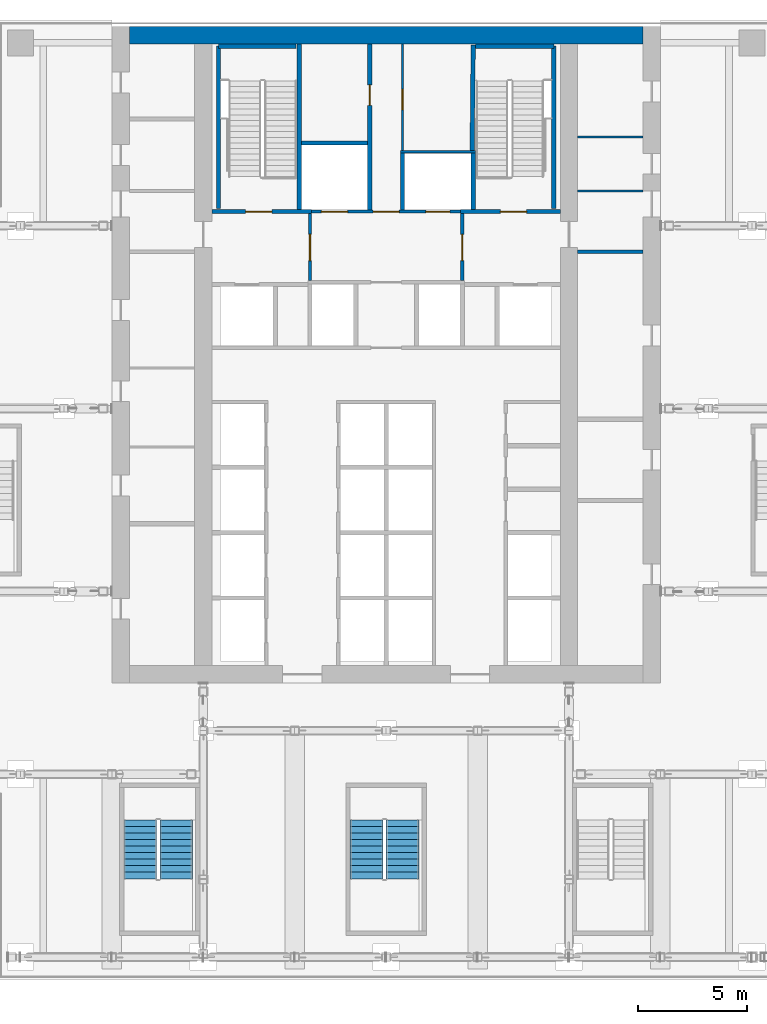
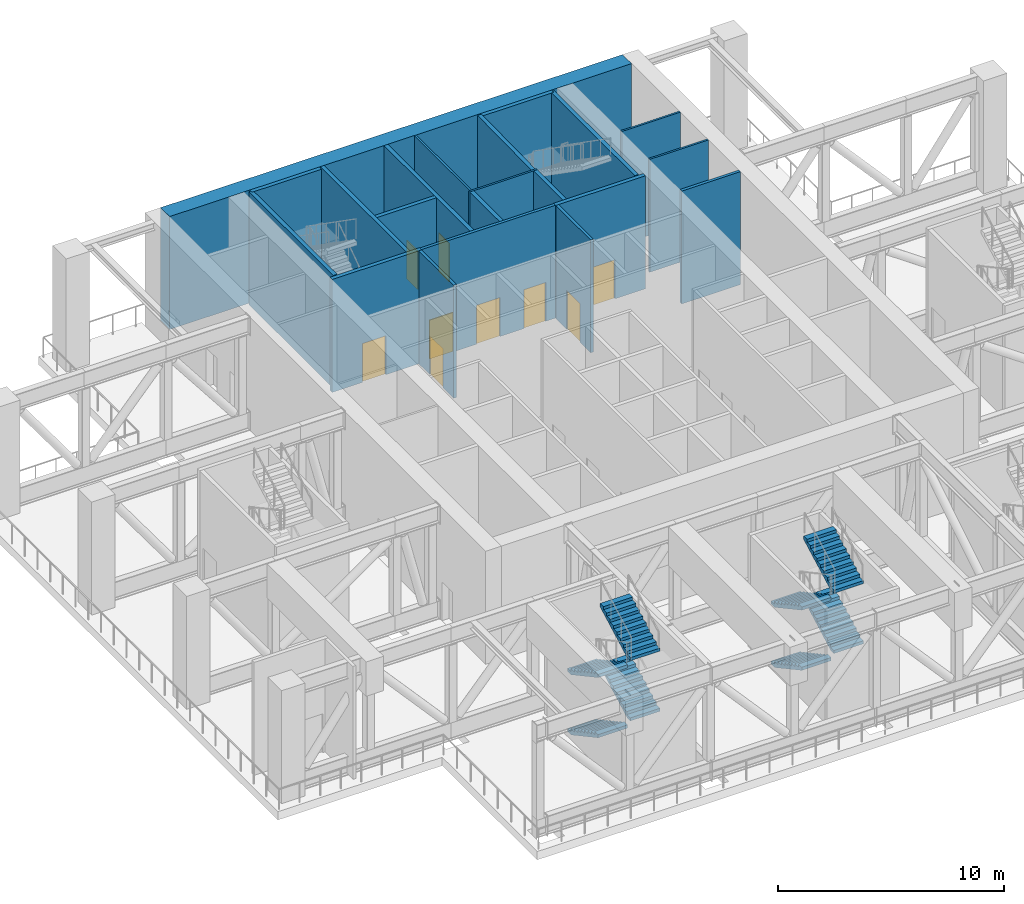
# One storey, part 18 of 23: 21 walls, 9 doors, 8 stair flights, 9 openings, 2 elements without a shape of their own.
"""IFC4 building model written with IfcOpenShell, lengths in metres."""

from ifc_helpers import new_model, si_unit, direction, frame, frame_2d, origin, place, context, subcontext, project, spatial, polyline, rectangle, outline, extrude, material, layer, layer_set, type_object, element, fill, aggregate, save


model = new_model("IFC4")

# Units and contexts
model_context = context("Model", 3, precision=1e-05, world=origin(), true_north=direction((0.0, 1.0)))
body_context = subcontext(model_context, "Body", "Model", "MODEL_VIEW")
ifc_project = project(units=[si_unit("LENGTHUNIT", "METRE"), si_unit("AREAUNIT", "SQUARE_METRE"), si_unit("VOLUMEUNIT", "CUBIC_METRE"), si_unit("PLANEANGLEUNIT", "RADIAN"), si_unit("MASSUNIT", "GRAM", prefix="KILO")], contexts=[model_context])

# Site, building, storey
site_placement = place(None, origin())
site = spatial("IfcSite", under=ifc_project, at=site_placement, CompositionType="ELEMENT")
building_placement = place(site_placement, origin())
building = spatial("IfcBuilding", under=site, at=building_placement, Name="Vermilion Ogive Tower", CompositionType="ELEMENT")
storey_placement = place(building_placement, frame((0.0, 0.0, 121.800048828125)))
storey = spatial("IfcBuildingStorey", under=building, at=storey_placement, Name="L31", CompositionType="ELEMENT", Elevation=121.800048828125)

# Walls
ifc_material_1 = material(Name="Concrete B80", Category="concrete")
ifc_layer_1 = layer(ifc_material_1, 0.800048828125)
ifc_layer_set_1 = layer_set([ifc_layer_1], Name="Core wall 800 B80")
wall_type_1 = type_object("IfcWallType", Name="Core wall 800 B80", PredefinedType="SHEAR", material=ifc_layer_set_1)
wall_1_placement = place(storey_placement, frame((-11.800048828125, 21.35009765625, 0.0), z_axis=(0.0, 0.0, 1.0), x_axis=(1.0, 0.0, 0.0)))
element("IfcWall", 1, at=wall_1_placement, inside=storey, type_object=wall_type_1, Name="L31-CORE-N", PredefinedType="SHEAR", context=body_context, shape_type="SweptSolid", body=[
    extrude(rectangle(XDim=23.60009765625, YDim=0.800048828125, at=frame_2d((11.800048828125, 0.0))), origin(), (0.0, 0.0, 1.0), 6.099853515625),
])
ifc_material_2 = material(Name="Gypsum board partition on steel studs", Category="steel")
ifc_layer_2 = layer(ifc_material_2, 0.10009765625)
ifc_layer_set_2 = layer_set([ifc_layer_2], Name="Partition 100 bath")
wall_type_2 = type_object("IfcWallType", Name="Partition 100 bath", PredefinedType="PARTITIONING", material=ifc_layer_set_2)
wall_2_placement = place(storey_placement, frame((0.64990234375, 16.0, 0.0), z_axis=(0.0, 0.0, 1.0), x_axis=(1.0, 0.0, 0.0)))
element("IfcWall", 2, at=wall_2_placement, inside=storey, type_object=wall_type_2, Name="L31-CK-W-W021", PredefinedType="PARTITIONING", context=body_context, shape_type="SweptSolid", body=[
    extrude(rectangle(XDim=3.4501953125, YDim=0.10009765625, at=frame_2d((1.72509765625, 0.0))), origin(), (0.0, 0.0, 1.0), 6.099853515625),
])

# Wall, opening, door
wall_3_placement = place(storey_placement, frame((0.75, 16.050048828125, 0.0), z_axis=(0.0, 0.0, 1.0), x_axis=(0.0, 1.0, 0.0)))
wall_3 = element("IfcWall", 3, at=wall_3_placement, inside=storey, type_object=wall_type_2, Name="L31-CK-W-W033", PredefinedType="PARTITIONING", context=body_context, shape_type="SweptSolid", body=[
    extrude(rectangle(XDim=4.89892578125, YDim=0.10009765625, at=frame_2d((2.449462890625, 0.0))), origin(), (0.0, 0.0, 1.0), 6.099853515625),
])
opening_1_placement = place(wall_3_placement, frame((1.875, 0.0, 0.0)))
opening_1 = element("IfcOpeningElement", 4, at=opening_1_placement, cuts=wall_3, Name="Opening DAI010", PredefinedType="OPENING", context=body_context, shape_type="SweptSolid", body=[
    extrude(rectangle(XDim=0.949951171875, YDim=2.10009765625, at=frame_2d((0.47509765625, 1.050048828125))), frame((0.0, 0.06005859375, 0.0), z_axis=(0.0, -1.0, 0.0), x_axis=(1.0, 0.0, 0.0)), (0.0, 0.0, 1.0), 0.1201171875),
])
ifc_material_3 = material(Name="Timber door leaf", Category="wood")
door_type_1 = type_object("IfcDoorType", Name="Service door 950 x 2100 FD60", OperationType="SINGLE_SWING_LEFT", PredefinedType="DOOR", material=ifc_material_3)
door_1_placement = place(opening_1_placement, origin())
door_1 = element("IfcDoor", 5, at=door_1_placement, inside=storey, type_object=door_type_1, Name="L31-CK-D-D022", OperationType="SINGLE_SWING_LEFT", OverallHeight=2.10009765625, OverallWidth=0.949951171875, PredefinedType="DOOR", context=body_context, shape_type="SweptSolid", body=[
    extrude(rectangle(XDim=0.949951171875, YDim=2.10009765625, at=frame_2d((0.47509765625, 1.050048828125))), frame((0.0, 0.02490234375, 0.0), z_axis=(0.0, -1.0, 0.0), x_axis=(1.0, 0.0, 0.0)), (0.0, 0.0, 1.0), 0.050048828125),
])
fill(opening_1, door_1)

# Walls
for number, where, z_axis, x_axis, name in (
    (6, (8.801025390625, 14.199951171875, 0.0), (0.0, 0.0, 1.0), (1.0, 0.0, 0.0), "L31-CKE-W-W004"),
    (7, (8.801025390625, 16.677978515625, 0.0), (0.0, 0.0, 1.0), (1.0, 0.0, 0.0), "L31-CKE-W-W005"),
):
    element("IfcWall", number, at=place(storey_placement, frame(where, z_axis=z_axis, x_axis=x_axis)), inside=storey, type_object=wall_type_2, Name=name, PredefinedType="PARTITIONING", context=body_context, shape_type="SweptSolid", body=[
        extrude(rectangle(XDim=2.998046875, YDim=0.10009765625, at=frame_2d((1.4990234375, 0.0))), origin(), (0.0, 0.0, 1.0), 6.099853515625),
    ])

# Wall, openings, doors
ifc_material_4 = material(Name="Gypsum board partition on steel studs", Category="steel")
ifc_layer_3 = layer(ifc_material_4, 0.14990234375)
ifc_layer_set_3 = layer_set([ifc_layer_3], Name="Partition 150 corridor")
wall_type_3 = type_object("IfcWallType", Name="Partition 150 corridor", PredefinedType="PARTITIONING", material=ifc_layer_set_3)
wall_4_placement = place(storey_placement, frame((-3.574951171875, 13.25, 0.0), z_axis=(0.0, 0.0, 1.0), x_axis=(1.0, 0.0, 0.0)))
wall_4 = element("IfcWall", 8, at=wall_4_placement, inside=storey, type_object=wall_type_3, Name="L31-CK-W-W019", PredefinedType="PARTITIONING", context=body_context, shape_type="SweptSolid", body=[
    extrude(rectangle(XDim=7.14990234375, YDim=0.14990234375, at=frame_2d((3.574951171875, 0.0))), origin(), (0.0, 0.0, 1.0), 6.099853515625),
])
opening_2_placement = place(wall_4_placement, frame((0.599853515625, 0.0, 0.0)))
opening_2 = element("IfcOpeningElement", 9, at=opening_2_placement, cuts=wall_4, Name="Opening DAI024", PredefinedType="OPENING", context=body_context, shape_type="SweptSolid", body=[
    extrude(rectangle(XDim=1.199951171875, YDim=2.10009765625, at=frame_2d((0.60009765625, 1.050048828125))), frame((0.0, 0.0849609375, 0.0), z_axis=(0.0, -1.0, 0.0), x_axis=(1.0, 0.0, 0.0)), (0.0, 0.0, 1.0), 0.169921875),
])
opening_3_placement = place(wall_4_placement, frame((5.39990234375, 0.0, 0.0)))
opening_3 = element("IfcOpeningElement", 10, at=opening_3_placement, cuts=wall_4, Name="Opening DAI015", PredefinedType="OPENING", context=body_context, shape_type="SweptSolid", body=[
    extrude(rectangle(XDim=1.10009765625, YDim=2.10009765625, at=frame_2d((0.550048828125, 1.050048828125))), frame((0.0, 0.0849609375, 0.0), z_axis=(0.0, -1.0, 0.0), x_axis=(1.0, 0.0, 0.0)), (0.0, 0.0, 1.0), 0.169921875),
])
opening_4_placement = place(wall_4_placement, frame((2.974853515625, 0.0, 0.0)))
opening_4 = element("IfcOpeningElement", 11, at=opening_4_placement, cuts=wall_4, Name="Opening DAI005", PredefinedType="OPENING", context=body_context, shape_type="SweptSolid", body=[
    extrude(rectangle(XDim=1.199951171875, YDim=2.10009765625, at=frame_2d((0.60009765625, 1.050048828125))), frame((0.0, 0.0849609375, 0.0), z_axis=(0.0, -1.0, 0.0), x_axis=(1.0, 0.0, 0.0)), (0.0, 0.0, 1.0), 0.169921875),
])
ifc_material_5 = material(Name="Stainless steel", Category="steel")
door_type_2 = type_object("IfcDoorType", Name="Lift landing door 1100 x 2100", OperationType="SLIDING_TO_LEFT", PredefinedType="DOOR", material=ifc_material_5)
door_2_placement = place(opening_3_placement, origin())
door_2 = element("IfcDoor", 12, at=door_2_placement, inside=storey, type_object=door_type_2, Name="L31-CK-D-D019", OperationType="SLIDING_TO_LEFT", OverallHeight=2.10009765625, OverallWidth=1.10009765625, PredefinedType="DOOR", context=body_context, shape_type="SweptSolid", body=[
    extrude(rectangle(XDim=1.10009765625, YDim=2.10009765625, at=frame_2d((0.550048828125, 1.050048828125))), frame((0.0, 0.02490234375, 0.0), z_axis=(0.0, -1.0, 0.0), x_axis=(1.0, 0.0, 0.0)), (0.0, 0.0, 1.0), 0.050048828125),
])
fill(opening_3, door_2)
ifc_material_6 = material(Name="Stainless steel", Category="steel")
door_type_3 = type_object("IfcDoorType", Name="Lift landing door 1200 x 2100", OperationType="SLIDING_TO_LEFT", PredefinedType="DOOR", material=ifc_material_6)
door_3_placement = place(opening_2_placement, origin())
door_3 = element("IfcDoor", 13, at=door_3_placement, inside=storey, type_object=door_type_3, Name="L31-CK-D-D018", OperationType="SLIDING_TO_RIGHT", OverallHeight=2.10009765625, OverallWidth=1.199951171875, PredefinedType="DOOR", context=body_context, shape_type="SweptSolid", body=[
    extrude(rectangle(XDim=1.199951171875, YDim=2.10009765625, at=frame_2d((0.60009765625, 1.050048828125))), frame((0.0, 0.02490234375, 0.0), z_axis=(0.0, -1.0, 0.0), x_axis=(1.0, 0.0, 0.0)), (0.0, 0.0, 1.0), 0.050048828125),
])
fill(opening_2, door_3)
ifc_material_7 = material(Name="Timber door leaf", Category="wood")
door_type_4 = type_object("IfcDoorType", Name="Service door 1200 x 2100 FD60", OperationType="SINGLE_SWING_LEFT", PredefinedType="DOOR", material=ifc_material_7)
door_4_placement = place(opening_4_placement, origin())
door_4 = element("IfcDoor", 14, at=door_4_placement, inside=storey, type_object=door_type_4, Name="L31-CK-D-D020", OperationType="SINGLE_SWING_RIGHT", OverallHeight=2.10009765625, OverallWidth=1.199951171875, PredefinedType="DOOR", context=body_context, shape_type="SweptSolid", body=[
    extrude(rectangle(XDim=1.199951171875, YDim=2.10009765625, at=frame_2d((0.60009765625, 1.050048828125))), frame((0.0, 0.02490234375, 0.0), z_axis=(0.0, -1.0, 0.0), x_axis=(1.0, 0.0, 0.0)), (0.0, 0.0, 1.0), 0.050048828125),
])
fill(opening_4, door_4)

# Wall, opening, door
wall_5_placement = place(storey_placement, frame((-3.5, 10.074951171875, 0.0), z_axis=(0.0, 0.0, 1.0), x_axis=(0.0, 1.0, 0.0)))
wall_5 = element("IfcWall", 15, at=wall_5_placement, inside=storey, type_object=wall_type_3, Name="L31-CK-W-W027", PredefinedType="PARTITIONING", context=body_context, shape_type="SweptSolid", body=[
    extrude(rectangle(XDim=3.074951171875, YDim=0.14990234375, at=frame_2d((1.53759765625, 0.0))), origin(), (0.0, 0.0, 1.0), 6.099853515625),
])
opening_5_placement = place(wall_5_placement, frame((0.925048828125, 0.0, 0.0)))
opening_5 = element("IfcOpeningElement", 16, at=opening_5_placement, cuts=wall_5, Name="Opening DAI001", PredefinedType="OPENING", context=body_context, shape_type="SweptSolid", body=[
    extrude(rectangle(XDim=1.199951171875, YDim=2.10009765625, at=frame_2d((0.60009765625, 1.050048828125))), frame((0.0, 0.0849609375, 0.0), z_axis=(0.0, -1.0, 0.0), x_axis=(1.0, 0.0, 0.0)), (0.0, 0.0, 1.0), 0.169921875),
])
ifc_material_8 = material(Name="Timber door leaf", Category="wood")
door_type_5 = type_object("IfcDoorType", Name="Lobby door 1200 x 2100 FD60S", OperationType="SINGLE_SWING_LEFT", PredefinedType="DOOR", material=ifc_material_8)
door_5_placement = place(opening_5_placement, origin())
door_5 = element("IfcDoor", 17, at=door_5_placement, inside=storey, type_object=door_type_5, Name="L31-CK-D-D023", OperationType="SINGLE_SWING_RIGHT", OverallHeight=2.10009765625, OverallWidth=1.199951171875, PredefinedType="DOOR", context=body_context, shape_type="SweptSolid", body=[
    extrude(rectangle(XDim=1.199951171875, YDim=2.10009765625, at=frame_2d((0.60009765625, 1.050048828125))), frame((0.0, 0.02490234375, 0.0), z_axis=(0.0, -1.0, 0.0), x_axis=(1.0, 0.0, 0.0)), (0.0, 0.0, 1.0), 0.050048828125),
])
fill(opening_5, door_5)

wall_6_placement = place(storey_placement, frame((3.5, 10.074951171875, 0.0), z_axis=(0.0, 0.0, 1.0), x_axis=(0.0, 1.0, 0.0)))
wall_6 = element("IfcWall", 18, at=wall_6_placement, inside=storey, type_object=wall_type_3, Name="L31-CK-W-W037", PredefinedType="PARTITIONING", context=body_context, shape_type="SweptSolid", body=[
    extrude(rectangle(XDim=3.074951171875, YDim=0.14990234375, at=frame_2d((1.53759765625, 0.0))), origin(), (0.0, 0.0, 1.0), 6.099853515625),
])
opening_6_placement = place(wall_6_placement, frame((0.925048828125, 0.0, 0.0)))
opening_6 = element("IfcOpeningElement", 19, at=opening_6_placement, cuts=wall_6, Name="Opening DAI002", PredefinedType="OPENING", context=body_context, shape_type="SweptSolid", body=[
    extrude(rectangle(XDim=1.199951171875, YDim=2.10009765625, at=frame_2d((0.60009765625, 1.050048828125))), frame((0.0, 0.0849609375, 0.0), z_axis=(0.0, -1.0, 0.0), x_axis=(1.0, 0.0, 0.0)), (0.0, 0.0, 1.0), 0.169921875),
])
door_6_placement = place(opening_6_placement, origin())
door_6 = element("IfcDoor", 20, at=door_6_placement, inside=storey, type_object=door_type_5, Name="L31-CK-D-D024", OperationType="SINGLE_SWING_LEFT", OverallHeight=2.10009765625, OverallWidth=1.199951171875, PredefinedType="DOOR", context=body_context, shape_type="SweptSolid", body=[
    extrude(rectangle(XDim=1.199951171875, YDim=2.10009765625, at=frame_2d((0.60009765625, 1.050048828125))), frame((0.0, 0.02490234375, 0.0), z_axis=(0.0, -1.0, 0.0), x_axis=(1.0, 0.0, 0.0)), (0.0, 0.0, 1.0), 0.050048828125),
])
fill(opening_6, door_6)

# Walls
wall_7_placement = place(storey_placement, frame((8.801025390625, 11.39990234375, 0.0), z_axis=(0.0, 0.0, 1.0), x_axis=(1.0, 0.0, 0.0)))
element("IfcWall", 21, at=wall_7_placement, inside=storey, type_object=wall_type_3, Name="L31-CKE-W-W003", PredefinedType="PARTITIONING", context=body_context, shape_type="SweptSolid", body=[
    extrude(rectangle(XDim=2.998046875, YDim=0.14990234375, at=frame_2d((1.4990234375, 0.0))), origin(), (0.0, 0.0, 1.0), 6.099853515625),
])
ifc_material_9 = material(Name="Gypsum board partition on steel studs", Category="steel")
ifc_layer_4 = layer(ifc_material_9, 0.199951171875)
ifc_layer_set_4 = layer_set([ifc_layer_4], Name="Partition 200 party")
wall_type_4 = type_object("IfcWallType", Name="Partition 200 party", PredefinedType="PARTITIONING", material=ifc_layer_set_4)
wall_8_placement = place(storey_placement, frame((-3.89990234375, 16.39990234375, 0.0), z_axis=(0.0, 0.0, 1.0), x_axis=(1.0, 0.0, 0.0)))
element("IfcWall", 22, at=wall_8_placement, inside=storey, type_object=wall_type_4, Name="L31-CK-W-W022", PredefinedType="PARTITIONING", context=body_context, shape_type="SweptSolid", body=[
    extrude(rectangle(XDim=3.0498046875, YDim=0.199951171875, at=frame_2d((1.52490234375, 0.0))), origin(), (0.0, 0.0, 1.0), 6.099853515625),
])

# Wall, opening, door
wall_9_placement = place(storey_placement, frame((-0.75, 13.324951171875, 0.0), z_axis=(0.0, 0.0, 1.0), x_axis=(0.0, 1.0, 0.0)))
wall_9 = element("IfcWall", 23, at=wall_9_placement, inside=storey, type_object=wall_type_4, Name="L31-CK-W-W030", PredefinedType="PARTITIONING", context=body_context, shape_type="SweptSolid", body=[
    extrude(rectangle(XDim=7.6240234375, YDim=0.199951171875, at=frame_2d((3.81201171875, 0.0))), origin(), (0.0, 0.0, 1.0), 6.099853515625),
])
opening_7_placement = place(wall_9_placement, frame((4.800048828125, 0.0, 0.0)))
opening_7 = element("IfcOpeningElement", 24, at=opening_7_placement, cuts=wall_9, Name="Opening DAI009", PredefinedType="OPENING", context=body_context, shape_type="SweptSolid", body=[
    extrude(rectangle(XDim=0.949951171875, YDim=2.10009765625, at=frame_2d((0.47509765625, 1.050048828125))), frame((0.0, 0.10986328125, 0.0), z_axis=(0.0, -1.0, 0.0), x_axis=(1.0, 0.0, 0.0)), (0.0, 0.0, 1.0), 0.219970703125),
])
door_7_placement = place(opening_7_placement, origin())
door_7 = element("IfcDoor", 25, at=door_7_placement, inside=storey, type_object=door_type_1, Name="L31-CK-D-D021", OperationType="SINGLE_SWING_RIGHT", OverallHeight=2.10009765625, OverallWidth=0.949951171875, PredefinedType="DOOR", context=body_context, shape_type="SweptSolid", body=[
    extrude(rectangle(XDim=0.949951171875, YDim=2.10009765625, at=frame_2d((0.47509765625, 1.050048828125))), frame((0.0, 0.02490234375, 0.0), z_axis=(0.0, -1.0, 0.0), x_axis=(1.0, 0.0, 0.0)), (0.0, 0.0, 1.0), 0.050048828125),
])
fill(opening_7, door_7)

# Wall
wall_10_placement = place(storey_placement, frame((0.75, 13.324951171875, 0.0), z_axis=(0.0, 0.0, 1.0), x_axis=(0.0, 1.0, 0.0)))
element("IfcWall", 26, at=wall_10_placement, inside=storey, type_object=wall_type_4, Name="L31-CK-W-W032", PredefinedType="PARTITIONING", context=body_context, shape_type="SweptSolid", body=[
    extrude(rectangle(XDim=2.625, YDim=0.199951171875, at=frame_2d((1.3125, 0.0))), origin(), (0.0, 0.0, 1.0), 6.099853515625),
])

# Wall, opening, door
ifc_material_10 = material(Name="Concrete B60", Category="concrete")
ifc_layer_5 = layer(ifc_material_10, 0.199951171875)
ifc_layer_set_5 = layer_set([ifc_layer_5], Name="Stair shaft wall 200 Concrete B60")
wall_type_5 = type_object("IfcWallType", Name="Stair shaft wall 200 Concrete B60", PredefinedType="SOLIDWALL", material=ifc_layer_set_5)
wall_11_placement = place(storey_placement, frame((-7.9990234375, 13.25, 0.0), z_axis=(0.0, 0.0, 1.0), x_axis=(1.0, 0.0, 0.0)))
wall_11 = element("IfcWall", 27, at=wall_11_placement, inside=storey, type_object=wall_type_5, Name="L31-CK-W-W018", PredefinedType="SOLIDWALL", context=body_context, shape_type="SweptSolid", body=[
    extrude(rectangle(XDim=4.573974609375, YDim=0.199951171875, at=frame_2d((2.287109375, 0.0))), origin(), (0.0, 0.0, 1.0), 6.099853515625),
])
opening_8_placement = place(wall_11_placement, frame((1.549072265625, 0.0, 0.0)))
opening_8 = element("IfcOpeningElement", 28, at=opening_8_placement, cuts=wall_11, Name="Opening DAI011", PredefinedType="OPENING", context=body_context, shape_type="SweptSolid", body=[
    extrude(rectangle(XDim=1.199951171875, YDim=2.10009765625, at=frame_2d((0.60009765625, 1.050048828125))), frame((0.0, 0.10986328125, 0.0), z_axis=(0.0, -1.0, 0.0), x_axis=(1.0, 0.0, 0.0)), (0.0, 0.0, 1.0), 0.219970703125),
])
ifc_material_11 = material(Name="Timber door leaf", Category="wood")
door_type_6 = type_object("IfcDoorType", Name="Stair door 1200 x 2100 FD60S", OperationType="SINGLE_SWING_LEFT", PredefinedType="DOOR", material=ifc_material_11)
door_8_placement = place(opening_8_placement, origin())
door_8 = element("IfcDoor", 29, at=door_8_placement, inside=storey, type_object=door_type_6, Name="L31-CK-D-D012", OperationType="SINGLE_SWING_LEFT", OverallHeight=2.10009765625, OverallWidth=1.199951171875, PredefinedType="DOOR", context=body_context, shape_type="SweptSolid", body=[
    extrude(rectangle(XDim=1.199951171875, YDim=2.10009765625, at=frame_2d((0.60009765625, 1.050048828125))), frame((0.0, 0.02490234375, 0.0), z_axis=(0.0, -1.0, 0.0), x_axis=(1.0, 0.0, 0.0)), (0.0, 0.0, 1.0), 0.050048828125),
])
fill(opening_8, door_8)

wall_12_placement = place(storey_placement, frame((3.425048828125, 13.25, 0.0), z_axis=(0.0, 0.0, 1.0), x_axis=(1.0, 0.0, 0.0)))
wall_12 = element("IfcWall", 30, at=wall_12_placement, inside=storey, type_object=wall_type_5, Name="L31-CK-W-W020", PredefinedType="SOLIDWALL", context=body_context, shape_type="SweptSolid", body=[
    extrude(rectangle(XDim=4.573974609375, YDim=0.199951171875, at=frame_2d((2.287109375, 0.0))), origin(), (0.0, 0.0, 1.0), 6.099853515625),
])
opening_9_placement = place(wall_12_placement, frame((1.824951171875, 0.0, 0.0)))
opening_9 = element("IfcOpeningElement", 31, at=opening_9_placement, cuts=wall_12, Name="Opening DAI012", PredefinedType="OPENING", context=body_context, shape_type="SweptSolid", body=[
    extrude(rectangle(XDim=1.199951171875, YDim=2.10009765625, at=frame_2d((0.60009765625, 1.050048828125))), frame((0.0, 0.10986328125, 0.0), z_axis=(0.0, -1.0, 0.0), x_axis=(1.0, 0.0, 0.0)), (0.0, 0.0, 1.0), 0.219970703125),
])
door_9_placement = place(opening_9_placement, origin())
door_9 = element("IfcDoor", 32, at=door_9_placement, inside=storey, type_object=door_type_6, Name="L31-CK-D-D014", OperationType="SINGLE_SWING_RIGHT", OverallHeight=2.10009765625, OverallWidth=1.199951171875, PredefinedType="DOOR", context=body_context, shape_type="SweptSolid", body=[
    extrude(rectangle(XDim=1.199951171875, YDim=2.10009765625, at=frame_2d((0.60009765625, 1.050048828125))), frame((0.0, 0.02490234375, 0.0), z_axis=(0.0, -1.0, 0.0), x_axis=(1.0, 0.0, 0.0)), (0.0, 0.0, 1.0), 0.050048828125),
])
fill(opening_9, door_9)

# Walls
wall_13_placement = place(storey_placement, frame((-4.0, 13.35009765625, 0.0), z_axis=(0.0, 0.0, 1.0), x_axis=(0.0, 1.0, 0.0)))
element("IfcWall", 33, at=wall_13_placement, inside=storey, type_object=wall_type_5, Name="L31-CK-W-W025", PredefinedType="SOLIDWALL", context=body_context, shape_type="SweptSolid", body=[
    extrude(rectangle(XDim=7.598876953125, YDim=0.199951171875, at=frame_2d((3.79931640625, 0.0))), origin(), (0.0, 0.0, 1.0), 6.099853515625),
])
wall_14_placement = place(storey_placement, frame((4.0, 13.35009765625, 0.0), z_axis=(0.0, 0.0, 1.0), x_axis=(0.0, 1.0, 0.0)))
element("IfcWall", 34, at=wall_14_placement, inside=storey, type_object=wall_type_5, Name="L31-CK-W-W038", PredefinedType="SOLIDWALL", context=body_context, shape_type="SweptSolid", body=[
    extrude(rectangle(XDim=2.599853515625, YDim=0.199951171875, at=frame_2d((1.2998046875, 0.0))), origin(), (0.0, 0.0, 1.0), 6.099853515625),
])
wall_15_placement = place(storey_placement, frame((3.949951171875, 16.050048828125, 0.0), z_axis=(0.0, 0.0, 1.0), x_axis=(0.01032118628, 0.999946735138, 0.0)))
element("IfcWall", 35, at=wall_15_placement, inside=storey, type_object=wall_type_5, Name="L31-CK-W-W039", PredefinedType="SOLIDWALL", context=body_context, shape_type="SweptSolid", body=[
    extrude(rectangle(XDim=4.84912109375, YDim=0.199951171875, at=frame_2d((2.424560546875, 0.0))), origin(), (0.0, 0.0, 1.0), 6.099853515625),
])
wall_16_placement = place(storey_placement, frame((-7.699951171875, 13.39990234375, 0.0), z_axis=(0.0, 0.0, 1.0), x_axis=(0.0, 1.0, 0.0)))
element("IfcWall", 36, at=wall_16_placement, inside=storey, type_object=wall_type_5, Name="L31-SW-R023-W1", PredefinedType="SOLIDWALL", context=body_context, shape_type="SweptSolid", body=[
    extrude(rectangle(XDim=7.4501953125, YDim=0.199951171875, at=frame_2d((3.72509765625, 0.0))), origin(), (0.0, 0.0, 1.0), 6.099853515625),
])
wall_17_placement = place(storey_placement, frame((-7.699951171875, 20.85009765625, 0.0), z_axis=(0.0, 0.0, 1.0), x_axis=(1.0, 0.0, 0.0)))
element("IfcWall", 37, at=wall_17_placement, inside=storey, type_object=wall_type_5, Name="L31-SW-R023-N1", PredefinedType="SOLIDWALL", context=body_context, shape_type="SweptSolid", body=[
    extrude(rectangle(XDim=3.550048828125, YDim=0.199951171875, at=frame_2d((1.77490234375, 0.0))), origin(), (0.0, 0.0, 1.0), 6.099853515625),
])
wall_18_placement = place(storey_placement, frame((7.699951171875, 13.39990234375, 0.0), z_axis=(0.0, 0.0, 1.0), x_axis=(0.0, 1.0, 0.0)))
element("IfcWall", 38, at=wall_18_placement, inside=storey, type_object=wall_type_5, Name="L31-SW-R027-E1", PredefinedType="SOLIDWALL", context=body_context, shape_type="SweptSolid", body=[
    extrude(rectangle(XDim=7.4501953125, YDim=0.199951171875, at=frame_2d((3.72509765625, 0.0))), origin(), (0.0, 0.0, 1.0), 6.099853515625),
])
wall_19_placement = place(storey_placement, frame((4.10009765625, 20.85009765625, 0.0), z_axis=(0.0, 0.0, 1.0), x_axis=(1.0, 0.0, 0.0)))
element("IfcWall", 39, at=wall_19_placement, inside=storey, type_object=wall_type_5, Name="L31-SW-R027-N1", PredefinedType="SOLIDWALL", context=body_context, shape_type="SweptSolid", body=[
    extrude(rectangle(XDim=3.599853515625, YDim=0.199951171875, at=frame_2d((1.7998046875, 0.0))), origin(), (0.0, 0.0, 1.0), 6.099853515625),
])

# Stair, stair flights
ifc_material_12 = material(Name="Concrete B40", Category="concrete")
stair_type = type_object("IfcStairType", Name="Exit stair 1500", PredefinedType="HALF_TURN_STAIR", material=ifc_material_12)
stair_1_placement = place(storey_placement, origin())
stair_1 = element("IfcStair", 40, at=stair_1_placement, inside=storey, type_object=stair_type, Name="L31 Exit Stair ST3", PredefinedType="HALF_TURN_STAIR")
ifc_material_13 = material(Name="Concrete B40", Category="concrete")
stair_flight_type = type_object("IfcStairFlightType", Name="Stair flight 1500", PredefinedType="STRAIGHT", material=ifc_material_13)
stair_flight_1_placement = place(storey_placement, frame((-11.300048828125, -14.699951171875, 0.0), z_axis=(0.0, 0.0, 1.0), x_axis=(0.0, -1.0, 0.0)))
stair_flight_1 = element("IfcStairFlight", 41, at=stair_flight_1_placement, type_object=stair_flight_type, Name="ST3 flight 1", NumberOfRisers=10, NumberOfTreads=9, PredefinedType="STRAIGHT", RiserHeight=0.1625, TreadLength=0.3, context=body_context, shape_type="SweptSolid", body=[
    extrude(outline(polyline([(0.0, 0.0), (0.0, 0.16259765625), (0.300048828125, 0.16259765625), (0.300048828125, 0.324951171875), (0.60009765625, 0.324951171875), (0.60009765625, 0.487548828125), (0.89990234375, 0.487548828125), (0.89990234375, 0.64990234375), (1.199951171875, 0.64990234375), (1.199951171875, 0.8125), (1.5, 0.8125), (1.5, 0.97509765625), (1.800048828125, 0.97509765625), (1.800048828125, 1.137451171875), (2.10009765625, 1.137451171875), (2.10009765625, 1.300048828125), (2.39990234375, 1.300048828125), (2.39990234375, 1.46240234375), (2.699951171875, 1.46240234375), (2.699951171875, 1.625), (2.699951171875, 1.2919921875), (0.314697265625, 0.0), (0.0, 0.0)])), frame((0.0, 0.75, 0.0), z_axis=(0.0, -1.0, 0.0), x_axis=(1.0, 0.0, 0.0)), (0.0, 0.0, 1.0), 1.5),
])
stair_flight_2_placement = place(storey_placement, frame((-9.64990234375, -17.39990234375, 1.625), z_axis=(0.0, 0.0, 1.0), x_axis=(0.0, 1.0, 0.0)))
stair_flight_2 = element("IfcStairFlight", 42, at=stair_flight_2_placement, type_object=stair_flight_type, Name="ST3 flight 2", NumberOfRisers=10, NumberOfTreads=9, PredefinedType="STRAIGHT", RiserHeight=0.1625, TreadLength=0.3, context=body_context, shape_type="SweptSolid", body=[
    extrude(outline(polyline([(0.0, 0.0), (0.0, 0.16259765625), (0.300048828125, 0.16259765625), (0.300048828125, 0.324951171875), (0.60009765625, 0.324951171875), (0.60009765625, 0.487548828125), (0.89990234375, 0.487548828125), (0.89990234375, 0.64990234375), (1.199951171875, 0.64990234375), (1.199951171875, 0.8125), (1.5, 0.8125), (1.5, 0.97509765625), (1.800048828125, 0.97509765625), (1.800048828125, 1.137451171875), (2.10009765625, 1.137451171875), (2.10009765625, 1.300048828125), (2.39990234375, 1.300048828125), (2.39990234375, 1.46240234375), (2.699951171875, 1.46240234375), (2.699951171875, 1.625), (2.699951171875, 1.2919921875), (0.314697265625, 0.0), (0.0, 0.0)])), frame((0.0, 0.75, 0.0), z_axis=(0.0, -1.0, 0.0), x_axis=(1.0, 0.0, 0.0)), (0.0, 0.0, 1.0), 1.5),
])
stair_flight_3_placement = place(storey_placement, frame((-11.300048828125, -14.699951171875, 3.25), z_axis=(0.0, 0.0, 1.0), x_axis=(0.0, -1.0, 0.0)))
stair_flight_3 = element("IfcStairFlight", 43, at=stair_flight_3_placement, type_object=stair_flight_type, Name="ST3 flight 3", NumberOfRisers=10, NumberOfTreads=9, PredefinedType="STRAIGHT", RiserHeight=0.1625, TreadLength=0.3, context=body_context, shape_type="SweptSolid", body=[
    extrude(outline(polyline([(0.0, 0.0), (0.0, 0.16259765625), (0.300048828125, 0.16259765625), (0.300048828125, 0.324951171875), (0.60009765625, 0.324951171875), (0.60009765625, 0.487548828125), (0.89990234375, 0.487548828125), (0.89990234375, 0.64990234375), (1.199951171875, 0.64990234375), (1.199951171875, 0.8125), (1.5, 0.8125), (1.5, 0.97509765625), (1.800048828125, 0.97509765625), (1.800048828125, 1.137451171875), (2.10009765625, 1.137451171875), (2.10009765625, 1.300048828125), (2.39990234375, 1.300048828125), (2.39990234375, 1.46240234375), (2.699951171875, 1.46240234375), (2.699951171875, 1.625), (2.699951171875, 1.2919921875), (0.314697265625, 0.0), (0.0, 0.0)])), frame((0.0, 0.75, 0.0), z_axis=(0.0, -1.0, 0.0), x_axis=(1.0, 0.0, 0.0)), (0.0, 0.0, 1.0), 1.5),
])
stair_flight_4_placement = place(storey_placement, frame((-9.64990234375, -17.39990234375, 4.875), z_axis=(0.0, 0.0, 1.0), x_axis=(0.0, 1.0, 0.0)))
stair_flight_4 = element("IfcStairFlight", 44, at=stair_flight_4_placement, type_object=stair_flight_type, Name="ST3 flight 4", NumberOfRisers=10, NumberOfTreads=9, PredefinedType="STRAIGHT", RiserHeight=0.1625, TreadLength=0.3, context=body_context, shape_type="SweptSolid", body=[
    extrude(outline(polyline([(0.0, 0.0), (0.0, 0.16259765625), (0.300048828125, 0.16259765625), (0.300048828125, 0.324951171875), (0.60009765625, 0.324951171875), (0.60009765625, 0.487548828125), (0.89990234375, 0.487548828125), (0.89990234375, 0.64990234375), (1.199951171875, 0.64990234375), (1.199951171875, 0.8125), (1.5, 0.8125), (1.5, 0.97509765625), (1.800048828125, 0.97509765625), (1.800048828125, 1.137451171875), (2.10009765625, 1.137451171875), (2.10009765625, 1.300048828125), (2.39990234375, 1.300048828125), (2.39990234375, 1.46240234375), (2.699951171875, 1.46240234375), (2.699951171875, 1.625), (2.699951171875, 1.2919921875), (0.314697265625, 0.0), (0.0, 0.0)])), frame((0.0, 0.75, 0.0), z_axis=(0.0, -1.0, 0.0), x_axis=(1.0, 0.0, 0.0)), (0.0, 0.0, 1.0), 1.5),
])
aggregate(stair_1, [stair_flight_1, stair_flight_2, stair_flight_3, stair_flight_4])

stair_2_placement = place(storey_placement, origin())
stair_2 = element("IfcStair", 45, at=stair_2_placement, inside=storey, type_object=stair_type, Name="L31 Exit Stair ST4", PredefinedType="HALF_TURN_STAIR")
stair_flight_5_placement = place(storey_placement, frame((-0.89990234375, -14.699951171875, 0.0), z_axis=(0.0, 0.0, 1.0), x_axis=(0.0, -1.0, 0.0)))
stair_flight_5 = element("IfcStairFlight", 46, at=stair_flight_5_placement, type_object=stair_flight_type, Name="ST4 flight 1", NumberOfRisers=10, NumberOfTreads=9, PredefinedType="STRAIGHT", RiserHeight=0.1625, TreadLength=0.3, context=body_context, shape_type="SweptSolid", body=[
    extrude(outline(polyline([(0.0, 0.0), (0.0, 0.16259765625), (0.300048828125, 0.16259765625), (0.300048828125, 0.324951171875), (0.60009765625, 0.324951171875), (0.60009765625, 0.487548828125), (0.89990234375, 0.487548828125), (0.89990234375, 0.64990234375), (1.199951171875, 0.64990234375), (1.199951171875, 0.8125), (1.5, 0.8125), (1.5, 0.97509765625), (1.800048828125, 0.97509765625), (1.800048828125, 1.137451171875), (2.10009765625, 1.137451171875), (2.10009765625, 1.300048828125), (2.39990234375, 1.300048828125), (2.39990234375, 1.46240234375), (2.699951171875, 1.46240234375), (2.699951171875, 1.625), (2.699951171875, 1.2919921875), (0.314697265625, 0.0), (0.0, 0.0)])), frame((0.0, 0.75, 0.0), z_axis=(0.0, -1.0, 0.0), x_axis=(1.0, 0.0, 0.0)), (0.0, 0.0, 1.0), 1.5),
])
stair_flight_6_placement = place(storey_placement, frame((0.75, -17.39990234375, 1.625), z_axis=(0.0, 0.0, 1.0), x_axis=(0.0, 1.0, 0.0)))
stair_flight_6 = element("IfcStairFlight", 47, at=stair_flight_6_placement, type_object=stair_flight_type, Name="ST4 flight 2", NumberOfRisers=10, NumberOfTreads=9, PredefinedType="STRAIGHT", RiserHeight=0.1625, TreadLength=0.3, context=body_context, shape_type="SweptSolid", body=[
    extrude(outline(polyline([(0.0, 0.0), (0.0, 0.16259765625), (0.300048828125, 0.16259765625), (0.300048828125, 0.324951171875), (0.60009765625, 0.324951171875), (0.60009765625, 0.487548828125), (0.89990234375, 0.487548828125), (0.89990234375, 0.64990234375), (1.199951171875, 0.64990234375), (1.199951171875, 0.8125), (1.5, 0.8125), (1.5, 0.97509765625), (1.800048828125, 0.97509765625), (1.800048828125, 1.137451171875), (2.10009765625, 1.137451171875), (2.10009765625, 1.300048828125), (2.39990234375, 1.300048828125), (2.39990234375, 1.46240234375), (2.699951171875, 1.46240234375), (2.699951171875, 1.625), (2.699951171875, 1.2919921875), (0.314697265625, 0.0), (0.0, 0.0)])), frame((0.0, 0.75, 0.0), z_axis=(0.0, -1.0, 0.0), x_axis=(1.0, 0.0, 0.0)), (0.0, 0.0, 1.0), 1.5),
])
stair_flight_7_placement = place(storey_placement, frame((-0.89990234375, -14.699951171875, 3.25), z_axis=(0.0, 0.0, 1.0), x_axis=(0.0, -1.0, 0.0)))
stair_flight_7 = element("IfcStairFlight", 48, at=stair_flight_7_placement, type_object=stair_flight_type, Name="ST4 flight 3", NumberOfRisers=10, NumberOfTreads=9, PredefinedType="STRAIGHT", RiserHeight=0.1625, TreadLength=0.3, context=body_context, shape_type="SweptSolid", body=[
    extrude(outline(polyline([(0.0, 0.0), (0.0, 0.16259765625), (0.300048828125, 0.16259765625), (0.300048828125, 0.324951171875), (0.60009765625, 0.324951171875), (0.60009765625, 0.487548828125), (0.89990234375, 0.487548828125), (0.89990234375, 0.64990234375), (1.199951171875, 0.64990234375), (1.199951171875, 0.8125), (1.5, 0.8125), (1.5, 0.97509765625), (1.800048828125, 0.97509765625), (1.800048828125, 1.137451171875), (2.10009765625, 1.137451171875), (2.10009765625, 1.300048828125), (2.39990234375, 1.300048828125), (2.39990234375, 1.46240234375), (2.699951171875, 1.46240234375), (2.699951171875, 1.625), (2.699951171875, 1.2919921875), (0.314697265625, 0.0), (0.0, 0.0)])), frame((0.0, 0.75, 0.0), z_axis=(0.0, -1.0, 0.0), x_axis=(1.0, 0.0, 0.0)), (0.0, 0.0, 1.0), 1.5),
])
stair_flight_8_placement = place(storey_placement, frame((0.75, -17.39990234375, 4.875), z_axis=(0.0, 0.0, 1.0), x_axis=(0.0, 1.0, 0.0)))
stair_flight_8 = element("IfcStairFlight", 49, at=stair_flight_8_placement, type_object=stair_flight_type, Name="ST4 flight 4", NumberOfRisers=10, NumberOfTreads=9, PredefinedType="STRAIGHT", RiserHeight=0.1625, TreadLength=0.3, context=body_context, shape_type="SweptSolid", body=[
    extrude(outline(polyline([(0.0, 0.0), (0.0, 0.16259765625), (0.300048828125, 0.16259765625), (0.300048828125, 0.324951171875), (0.60009765625, 0.324951171875), (0.60009765625, 0.487548828125), (0.89990234375, 0.487548828125), (0.89990234375, 0.64990234375), (1.199951171875, 0.64990234375), (1.199951171875, 0.8125), (1.5, 0.8125), (1.5, 0.97509765625), (1.800048828125, 0.97509765625), (1.800048828125, 1.137451171875), (2.10009765625, 1.137451171875), (2.10009765625, 1.300048828125), (2.39990234375, 1.300048828125), (2.39990234375, 1.46240234375), (2.699951171875, 1.46240234375), (2.699951171875, 1.625), (2.699951171875, 1.2919921875), (0.314697265625, 0.0), (0.0, 0.0)])), frame((0.0, 0.75, 0.0), z_axis=(0.0, -1.0, 0.0), x_axis=(1.0, 0.0, 0.0)), (0.0, 0.0, 1.0), 1.5),
])
aggregate(stair_2, [stair_flight_5, stair_flight_6, stair_flight_7, stair_flight_8])

save(model, "model.ifc")
